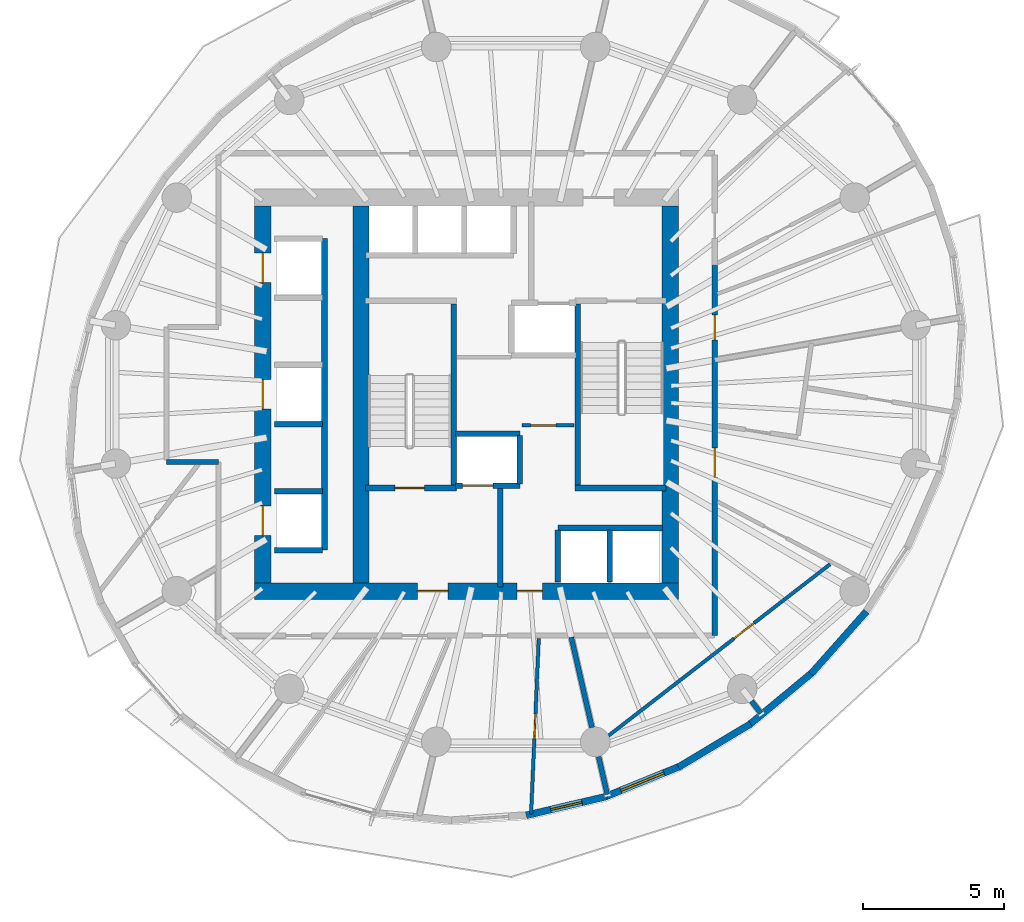
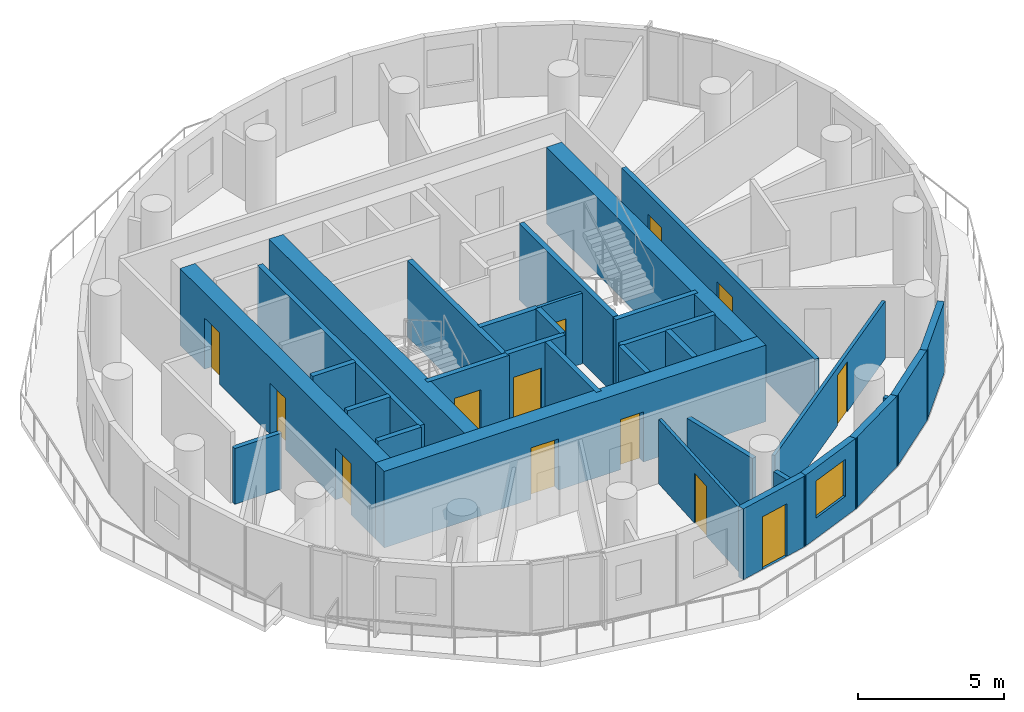
# One storey, part 5 of 12: 32 walls, 13 doors, 1 window, 14 openings.
"""IFC4 building model written with IfcOpenShell, lengths in metres."""

from ifc_helpers import new_model, si_unit, direction, frame, frame_2d, origin, place, context, subcontext, project, spatial, rectangle, extrude, material, layer, layer_set, type_object, element, fill, save


model = new_model("IFC4")

# Units and contexts
model_context = context("Model", 3, precision=1e-05, world=origin(), true_north=direction((0.0, 1.0)))
body_context = subcontext(model_context, "Body", "Model", "MODEL_VIEW")
ifc_project = project(units=[si_unit("LENGTHUNIT", "METRE"), si_unit("AREAUNIT", "SQUARE_METRE"), si_unit("VOLUMEUNIT", "CUBIC_METRE"), si_unit("PLANEANGLEUNIT", "RADIAN"), si_unit("MASSUNIT", "GRAM", prefix="KILO")], contexts=[model_context])

# Site, building, storey
site_placement = place(None, origin())
site = spatial("IfcSite", under=ifc_project, at=site_placement, CompositionType="ELEMENT")
building_placement = place(site_placement, origin())
building = spatial("IfcBuilding", under=site, at=building_placement, Name="Veldorim Arch Residences", CompositionType="ELEMENT")
storey_placement = place(building_placement, frame((0.0, 0.0, 148.9599609375)))
storey = spatial("IfcBuildingStorey", under=building, at=storey_placement, Name="L44", CompositionType="ELEMENT", Elevation=148.9599609375)

# Wall, opening, door
ifc_material_1 = material(Name="Acoustic Gypsum Board", Category="gypsum")
ifc_layer_1 = layer(ifc_material_1, 0.125, Name="Acoustic Stud Room Partition Wall 125")
ifc_layer_set_1 = layer_set([ifc_layer_1], Name="Acoustic Gypsum Board")
wall_type_1 = type_object("IfcWallType", Name="Acoustic Stud Room Partition Wall 125", PredefinedType="PARTITIONING", material=ifc_layer_set_1)
wall_1_placement = place(storey_placement, frame((32.219970703125, 22.89990234375, 0.0), z_axis=(0.0, 0.0, 1.0), x_axis=(1.0, 0.0, 0.0)))
wall_1 = element("IfcWall", 1, at=wall_1_placement, inside=storey, type_object=wall_type_1, Name="L44 interior wall WL-CA-L44-2", PredefinedType="PARTITIONING", context=body_context, shape_type="SweptSolid", body=[
    extrude(rectangle(XDim=1.860107421875, YDim=0.125, at=frame_2d((0.93017578125, 0.0))), origin(), (0.0, 0.0, 1.0), 2.955078125),
])
opening_1_placement = place(wall_1_placement, frame((0.31005859375, 0.0, 0.0)))
opening_1 = element("IfcOpeningElement", 2, at=opening_1_placement, cuts=wall_1, Name="Opening DR-SVC", PredefinedType="OPENING", context=body_context, shape_type="SweptSolid", body=[
    extrude(rectangle(XDim=0.89990234375, YDim=2.10009765625, at=frame_2d((0.449951171875, 1.050048828125))), frame((0.0, 0.072509765625, 0.0), z_axis=(0.0, -1.0, 0.0), x_axis=(1.0, 0.0, 0.0)), (0.0, 0.0, 1.0), 0.14501953125),
])
ifc_material_2 = material(Name="Fire-Rated Steel", Category="steel")
door_type_1 = type_object("IfcDoorType", Name="Riser, Shelter & Plant Room Rated Steel Door 900x2100", OperationType="SINGLE_SWING_LEFT", PredefinedType="DOOR", material=ifc_material_2)
door_1_placement = place(opening_1_placement, origin())
door_1 = element("IfcDoor", 3, at=door_1_placement, inside=storey, type_object=door_type_1, Name="L44 interior door DR-L44-CA1", OperationType="SINGLE_SWING_RIGHT", OverallHeight=2.10009765625, OverallWidth=0.89990234375, PredefinedType="DOOR", context=body_context, shape_type="SweptSolid", body=[
    extrude(rectangle(XDim=0.89990234375, YDim=2.10009765625, at=frame_2d((0.449951171875, 1.050048828125))), frame((0.0, 0.02490234375, 0.0), z_axis=(0.0, -1.0, 0.0), x_axis=(1.0, 0.0, 0.0)), (0.0, 0.0, 1.0), 0.050048828125),
])
fill(opening_1, door_1)

wall_2_placement = place(storey_placement, frame((32.82080078125, 15.320068359375, 0.0), z_axis=(0.0, 0.0, 1.0), x_axis=(-0.043813760095, -0.999039716141, 0.0)))
wall_2 = element("IfcWall", 4, at=wall_2_placement, inside=storey, type_object=wall_type_1, Name="L44 interior wall WL-RES-L44-011", PredefinedType="PARTITIONING", context=body_context, shape_type="SweptSolid", body=[
    extrude(rectangle(XDim=6.24658203125, YDim=0.125, at=frame_2d((3.123291015625, 0.0))), origin(), (0.0, 0.0, 1.0), 2.692138671875),
])
opening_2_placement = place(wall_2_placement, frame((2.67333984375, 0.0, 0.0)))
opening_2 = element("IfcOpeningElement", 5, at=opening_2_placement, cuts=wall_2, Name="Opening DR-INT", PredefinedType="OPENING", context=body_context, shape_type="SweptSolid", body=[
    extrude(rectangle(XDim=0.89990234375, YDim=2.10009765625, at=frame_2d((0.449951171875, 1.050048828125))), frame((0.0, 0.072509765625, 0.0), z_axis=(0.0, -1.0, 0.0), x_axis=(1.0, 0.0, 0.0)), (0.0, 0.0, 1.0), 0.14501953125),
])
ifc_material_3 = material(Name="Engineered Timber", Category="wood")
door_type_2 = type_object("IfcDoorType", Name="Apartment Internal Room Timber Door 900x2100", OperationType="SINGLE_SWING_LEFT", PredefinedType="DOOR", material=ifc_material_3)
door_2_placement = place(opening_2_placement, origin())
door_2 = element("IfcDoor", 6, at=door_2_placement, inside=storey, type_object=door_type_2, Name="L44 interior door DR-RES-L44-004", OperationType="SINGLE_SWING_RIGHT", OverallHeight=2.10009765625, OverallWidth=0.89990234375, PredefinedType="DOOR", context=body_context, shape_type="SweptSolid", body=[
    extrude(rectangle(XDim=0.89990234375, YDim=2.10009765625, at=frame_2d((0.449951171875, 1.050048828125))), frame((0.0, 0.02490234375, 0.0), z_axis=(0.0, -1.0, 0.0), x_axis=(1.0, 0.0, 0.0)), (0.0, 0.0, 1.0), 0.050048828125),
])
fill(opening_2, door_2)

wall_3_placement = place(storey_placement, frame((43.18408203125, 17.959716796875, 0.0), z_axis=(0.0, 0.0, 1.0), x_axis=(-0.790862802872, -0.611993486104, 0.0)))
wall_3 = element("IfcWall", 7, at=wall_3_placement, inside=storey, type_object=wall_type_1, Name="L44 interior wall WL-RES-L44-020", PredefinedType="PARTITIONING", context=body_context, shape_type="SweptSolid", body=[
    extrude(rectangle(XDim=9.974853515625, YDim=0.125, at=frame_2d((4.9873046875, 0.0))), origin(), (0.0, 0.0, 1.0), 2.411376953125),
])
opening_3_placement = place(wall_3_placement, frame((3.417236328125, 0.0, 0.0)))
opening_3 = element("IfcOpeningElement", 8, at=opening_3_placement, cuts=wall_3, Name="Opening DR-INT", PredefinedType="OPENING", context=body_context, shape_type="SweptSolid", body=[
    extrude(rectangle(XDim=0.89990234375, YDim=2.10009765625, at=frame_2d((0.449951171875, 1.050048828125))), frame((0.0, 0.072509765625, 0.0), z_axis=(0.0, -1.0, 0.0), x_axis=(1.0, 0.0, 0.0)), (0.0, 0.0, 1.0), 0.14501953125),
])
door_3_placement = place(opening_3_placement, origin())
door_3 = element("IfcDoor", 9, at=door_3_placement, inside=storey, type_object=door_type_2, Name="L44 interior door DR-RES-L44-008", OperationType="SINGLE_SWING_RIGHT", OverallHeight=2.10009765625, OverallWidth=0.89990234375, PredefinedType="DOOR", context=body_context, shape_type="SweptSolid", body=[
    extrude(rectangle(XDim=0.89990234375, YDim=2.10009765625, at=frame_2d((0.449951171875, 1.050048828125))), frame((0.0, 0.02490234375, 0.0), z_axis=(0.0, -1.0, 0.0), x_axis=(1.0, 0.0, 0.0)), (0.0, 0.0, 1.0), 0.050048828125),
])
fill(opening_3, door_3)

# Walls
ifc_material_4 = material(Name="Lightweight Masonry Block & Gypsum", Category="masonry")
ifc_layer_2 = layer(ifc_material_4, 0.179931640625, Name="Compartment & Corridor Fire-Rated Party Wall 180")
ifc_layer_set_2 = layer_set([ifc_layer_2], Name="Lightweight Masonry Block & Gypsum")
wall_type_2 = type_object("IfcWallType", Name="Compartment & Corridor Fire-Rated Party Wall 180", PredefinedType="PARTITIONING", material=ifc_layer_set_2)
wall_4_placement = place(storey_placement, frame((34.950439453125, 11.11083984375, 0.0), z_axis=(0.0, 0.0, 1.0), x_axis=(0.223027623572, -0.974812125039, 0.0)))
element("IfcWall", 10, at=wall_4_placement, inside=storey, type_object=wall_type_2, Name="L44 interior wall WL-PIER-L44-13", PredefinedType="PARTITIONING", context=body_context, shape_type="SweptSolid", body=[
    extrude(rectangle(XDim=1.372802734375, YDim=0.179931640625, at=frame_2d((0.6865234375, 0.0))), origin(), (0.0, 0.0, 1.0), 2.3359375),
])
wall_5_placement = place(storey_placement, frame((40.387939453125, 13.091552734375, 0.0), z_axis=(0.0, 0.0, 1.0), x_axis=(0.6096676216, -0.792657171275, 0.0)))
element("IfcWall", 11, at=wall_5_placement, inside=storey, type_object=wall_type_2, Name="L44 interior wall WL-PIER-L44-14", PredefinedType="PARTITIONING", context=body_context, shape_type="SweptSolid", body=[
    extrude(rectangle(XDim=0.547119140625, YDim=0.179931640625, at=frame_2d((0.2734375, 0.0))), origin(), (0.0, 0.0, 1.0), 2.3359375),
])

# Wall, openings, doors
wall_6_placement = place(storey_placement, frame((39.080078125, 28.64501953125, 0.0), z_axis=(0.0, 0.0, 1.0), x_axis=(0.0, -1.0, 0.0)))
wall_6 = element("IfcWall", 12, at=wall_6_placement, inside=storey, type_object=wall_type_2, Name="L44 interior wall WL-RES-L44-003", PredefinedType="PARTITIONING", context=body_context, shape_type="SweptSolid", body=[
    extrude(rectangle(XDim=13.22509765625, YDim=0.179931640625, at=frame_2d((6.612548828125, 0.0))), origin(), (0.0, 0.0, 1.0), 2.955078125),
])
opening_4_placement = place(wall_6_placement, frame((6.54541015625, 0.0, 0.0)))
opening_4 = element("IfcOpeningElement", 13, at=opening_4_placement, cuts=wall_6, Name="Opening DR-FLT", PredefinedType="OPENING", context=body_context, shape_type="SweptSolid", body=[
    extrude(rectangle(XDim=1.050048828125, YDim=2.14990234375, at=frame_2d((0.52490234375, 1.074951171875))), frame((0.0, 0.099853515625, 0.0), z_axis=(0.0, -1.0, 0.0), x_axis=(1.0, 0.0, 0.0)), (0.0, 0.0, 1.0), 0.199951171875),
])
opening_5_placement = place(wall_6_placement, frame((1.8115234375, 0.0, 0.0)))
opening_5 = element("IfcOpeningElement", 14, at=opening_5_placement, cuts=wall_6, Name="Opening DR-INT", PredefinedType="OPENING", context=body_context, shape_type="SweptSolid", body=[
    extrude(rectangle(XDim=0.89990234375, YDim=2.10009765625, at=frame_2d((0.449951171875, 1.050048828125))), frame((0.0, 0.099853515625, 0.0), z_axis=(0.0, -1.0, 0.0), x_axis=(1.0, 0.0, 0.0)), (0.0, 0.0, 1.0), 0.199951171875),
])
ifc_material_5 = material(Name="Fire-Rated Timber", Category="wood")
door_type_3 = type_object("IfcDoorType", Name="Apartment Entrance Solid-Core Fire Door 1050x2150", OperationType="SINGLE_SWING_LEFT", PredefinedType="DOOR", material=ifc_material_5)
door_4_placement = place(opening_4_placement, origin())
door_4 = element("IfcDoor", 15, at=door_4_placement, inside=storey, type_object=door_type_3, Name="L44 interior door DR-RES-L44-005", OperationType="SINGLE_SWING_LEFT", OverallHeight=2.14990234375, OverallWidth=1.050048828125, PredefinedType="DOOR", context=body_context, shape_type="SweptSolid", body=[
    extrude(rectangle(XDim=1.050048828125, YDim=2.14990234375, at=frame_2d((0.52490234375, 1.074951171875))), frame((0.0, 0.02490234375, 0.0), z_axis=(0.0, -1.0, 0.0), x_axis=(1.0, 0.0, 0.0)), (0.0, 0.0, 1.0), 0.050048828125),
])
fill(opening_4, door_4)
door_5_placement = place(opening_5_placement, origin())
door_5 = element("IfcDoor", 16, at=door_5_placement, inside=storey, type_object=door_type_2, Name="L44 interior door DR-RES-L44-013", OperationType="SINGLE_SWING_LEFT", OverallHeight=2.10009765625, OverallWidth=0.89990234375, PredefinedType="DOOR", context=body_context, shape_type="SweptSolid", body=[
    extrude(rectangle(XDim=0.89990234375, YDim=2.10009765625, at=frame_2d((0.449951171875, 1.050048828125))), frame((0.0, 0.02490234375, 0.0), z_axis=(0.0, -1.0, 0.0), x_axis=(1.0, 0.0, 0.0)), (0.0, 0.0, 1.0), 0.050048828125),
])
fill(opening_5, door_5)

# Walls
wall_7_placement = place(storey_placement, frame((21.419921875, 21.60009765625, 0.0), z_axis=(0.0, 0.0, 1.0), x_axis=(-1.0, 0.0, 0.0)))
element("IfcWall", 17, at=wall_7_placement, inside=storey, type_object=wall_type_2, Name="L44 interior wall WL-RES-L44-006", PredefinedType="PARTITIONING", context=body_context, shape_type="SweptSolid", body=[
    extrude(rectangle(XDim=1.849853515625, YDim=0.179931640625, at=frame_2d((0.9248046875, 0.0))), origin(), (0.0, 0.0, 1.0), 2.3359375),
])
wall_8_placement = place(storey_placement, frame((33.977294921875, 15.361572265625, 0.0), z_axis=(0.0, 0.0, 1.0), x_axis=(0.22319287001, -0.974774303506, 0.0)))
element("IfcWall", 18, at=wall_8_placement, inside=storey, type_object=wall_type_2, Name="L44 interior wall WL-RES-L44-014", PredefinedType="PARTITIONING", context=body_context, shape_type="SweptSolid", body=[
    extrude(rectangle(XDim=3.2958984375, YDim=0.179931640625, at=frame_2d((1.64794921875, 0.0))), origin(), (0.0, 0.0, 1.0), 2.3359375),
])
ifc_material_6 = material(Name="Concrete C50/60", Category="concrete")
ifc_layer_3 = layer(ifc_material_6, 0.199951171875, Name="Core Stair & Lift Shaft Enclosure Wall 200")
ifc_layer_set_3 = layer_set([ifc_layer_3], Name="Concrete C50/60")
wall_type_3 = type_object("IfcWallType", Name="Core Stair & Lift Shaft Enclosure Wall 200", PredefinedType="SHEAR", material=ifc_layer_set_3)
wall_9_placement = place(storey_placement, frame((29.7900390625, 20.780029296875, 0.0), z_axis=(0.0, 0.0, 1.0), x_axis=(0.0, 1.0, 0.0)))
element("IfcWall", 19, at=wall_9_placement, inside=storey, type_object=wall_type_3, Name="L44 shaft wall WL-SHF-L44-ST1-E", PredefinedType="SHEAR", context=body_context, shape_type="SweptSolid", body=[
    extrude(rectangle(XDim=6.43994140625, YDim=0.199951171875, at=frame_2d((3.219970703125, 0.0))), origin(), (0.0, 0.0, 1.0), 3.199951171875),
])

# Wall, opening, door
wall_10_placement = place(storey_placement, frame((26.64990234375, 20.669921875, 0.0), z_axis=(0.0, 0.0, 1.0), x_axis=(1.0, 0.0, 0.0)))
wall_10 = element("IfcWall", 20, at=wall_10_placement, inside=storey, type_object=wall_type_3, Name="L44 shaft wall WL-SHF-L44-ST1-S", PredefinedType="SHEAR", context=body_context, shape_type="SweptSolid", body=[
    extrude(rectangle(XDim=3.239990234375, YDim=0.199951171875, at=frame_2d((1.6201171875, 0.0))), origin(), (0.0, 0.0, 1.0), 3.199951171875),
])
opening_6_placement = place(wall_10_placement, frame((1.054931640625, 0.0, 0.0)))
opening_6 = element("IfcOpeningElement", 21, at=opening_6_placement, cuts=wall_10, Name="Opening DR-ST", PredefinedType="OPENING", context=body_context, shape_type="SweptSolid", body=[
    extrude(rectangle(XDim=1.050048828125, YDim=2.14990234375, at=frame_2d((0.52490234375, 1.074951171875))), frame((0.0, 0.10986328125, 0.0), z_axis=(0.0, -1.0, 0.0), x_axis=(1.0, 0.0, 0.0)), (0.0, 0.0, 1.0), 0.219970703125),
])
ifc_material_7 = material(Name="Fire-Rated Steel", Category="steel")
door_type_4 = type_object("IfcDoorType", Name="Exit Staircase Self-Closing Fire Door 1050x2150", OperationType="SINGLE_SWING_LEFT", PredefinedType="DOOR", material=ifc_material_7)
door_6_placement = place(opening_6_placement, origin())
door_6 = element("IfcDoor", 22, at=door_6_placement, inside=storey, type_object=door_type_4, Name="L44 interior door DR-L44-ST1", OperationType="SINGLE_SWING_LEFT", OverallHeight=2.14990234375, OverallWidth=1.050048828125, PredefinedType="DOOR", context=body_context, shape_type="SweptSolid", body=[
    extrude(rectangle(XDim=1.050048828125, YDim=2.14990234375, at=frame_2d((0.52490234375, 1.074951171875))), frame((0.0, 0.02490234375, 0.0), z_axis=(0.0, -1.0, 0.0), x_axis=(1.0, 0.0, 0.0)), (0.0, 0.0, 1.0), 0.050048828125),
])
fill(opening_6, door_6)

# Walls
wall_11_placement = place(storey_placement, frame((34.2099609375, 20.780029296875, 0.0), z_axis=(0.0, 0.0, 1.0), x_axis=(0.0, 1.0, 0.0)))
element("IfcWall", 23, at=wall_11_placement, inside=storey, type_object=wall_type_3, Name="L44 shaft wall WL-SHF-L44-ST2-W", PredefinedType="SHEAR", context=body_context, shape_type="SweptSolid", body=[
    extrude(rectangle(XDim=6.43994140625, YDim=0.199951171875, at=frame_2d((3.219970703125, 0.0))), origin(), (0.0, 0.0, 1.0), 3.199951171875),
])
wall_12_placement = place(storey_placement, frame((34.110107421875, 20.669921875, 0.0), z_axis=(0.0, 0.0, 1.0), x_axis=(1.0, 0.0, 0.0)))
element("IfcWall", 24, at=wall_12_placement, inside=storey, type_object=wall_type_3, Name="L44 shaft wall WL-SHF-L44-ST2-S", PredefinedType="SHEAR", context=body_context, shape_type="SweptSolid", body=[
    extrude(rectangle(XDim=3.239990234375, YDim=0.199951171875, at=frame_2d((1.6201171875, 0.0))), origin(), (0.0, 0.0, 1.0), 3.199951171875),
])
wall_13_placement = place(storey_placement, frame((31.449951171875, 17.14990234375, 0.0), z_axis=(0.0, 0.0, 1.0), x_axis=(0.0, 1.0, 0.0)))
element("IfcWall", 25, at=wall_13_placement, inside=storey, type_object=wall_type_3, Name="L44 shaft wall WL-FFL1-L44-E", PredefinedType="SHEAR", context=body_context, shape_type="SweptSolid", body=[
    extrude(rectangle(XDim=3.5, YDim=0.199951171875, at=frame_2d((1.75, 0.0))), origin(), (0.0, 0.0, 1.0), 3.199951171875),
])

# Wall, opening, door
wall_14_placement = place(storey_placement, frame((29.85009765625, 20.75, 0.0), z_axis=(0.0, 0.0, 1.0), x_axis=(1.0, 0.0, 0.0)))
wall_14 = element("IfcWall", 26, at=wall_14_placement, inside=storey, type_object=wall_type_3, Name="L44 shaft wall WL-FL01-L44-S", PredefinedType="SHEAR", context=body_context, shape_type="SweptSolid", body=[
    extrude(rectangle(XDim=2.2998046875, YDim=0.199951171875, at=frame_2d((1.14990234375, 0.0))), origin(), (0.0, 0.0, 1.0), 3.199951171875),
])
opening_7_placement = place(wall_14_placement, frame((0.25, 0.0, 0.0)))
opening_7 = element("IfcOpeningElement", 27, at=opening_7_placement, cuts=wall_14, Name="Opening LD-FF", PredefinedType="OPENING", context=body_context, shape_type="SweptSolid", body=[
    extrude(rectangle(XDim=1.10009765625, YDim=2.14990234375, at=frame_2d((0.550048828125, 1.074951171875))), frame((0.0, 0.10986328125, 0.0), z_axis=(0.0, -1.0, 0.0), x_axis=(1.0, 0.0, 0.0)), (0.0, 0.0, 1.0), 0.219970703125),
])
ifc_material_8 = material(Name="Stainless Steel", Category="steel")
door_type_5 = type_object("IfcDoorType", Name="Firefighting Lift Bi-Parting Sliding Landing Door 1100x2150", OperationType="DOUBLE_DOOR_SLIDING", PredefinedType="DOOR", material=ifc_material_8)
door_7_placement = place(opening_7_placement, origin())
door_7 = element("IfcDoor", 28, at=door_7_placement, inside=storey, type_object=door_type_5, Name="L44 lift landing door LD-L44-FL01", OperationType="DOUBLE_DOOR_SLIDING", OverallHeight=2.14990234375, OverallWidth=1.10009765625, PredefinedType="DOOR", context=body_context, shape_type="SweptSolid", body=[
    extrude(rectangle(XDim=1.10009765625, YDim=2.14990234375, at=frame_2d((0.550048828125, 1.074951171875))), frame((0.0, 0.02490234375, 0.0), z_axis=(0.0, -1.0, 0.0), x_axis=(1.0, 0.0, 0.0)), (0.0, 0.0, 1.0), 0.050048828125),
])
fill(opening_7, door_7)

# Walls
wall_15_placement = place(storey_placement, frame((29.85009765625, 22.60009765625, 0.0), z_axis=(0.0, 0.0, 1.0), x_axis=(1.0, 0.0, 0.0)))
element("IfcWall", 29, at=wall_15_placement, inside=storey, type_object=wall_type_3, Name="L44 shaft wall WL-FL01-L44-N", PredefinedType="SHEAR", context=body_context, shape_type="SweptSolid", body=[
    extrude(rectangle(XDim=2.2998046875, YDim=0.199951171875, at=frame_2d((1.14990234375, 0.0))), origin(), (0.0, 0.0, 1.0), 3.199951171875),
])
wall_16_placement = place(storey_placement, frame((32.14990234375, 20.820068359375, 0.0), z_axis=(0.0, 0.0, 1.0), x_axis=(0.0, 1.0, 0.0)))
element("IfcWall", 30, at=wall_16_placement, inside=storey, type_object=wall_type_3, Name="L44 shaft wall WL-FL01-L44-E", PredefinedType="SHEAR", context=body_context, shape_type="SweptSolid", body=[
    extrude(rectangle(XDim=1.7099609375, YDim=0.199951171875, at=frame_2d((0.85498046875, 0.0))), origin(), (0.0, 0.0, 1.0), 3.199951171875),
])
wall_17_placement = place(storey_placement, frame((25.199951171875, 18.4599609375, 0.0), z_axis=(0.0, 0.0, 1.0), x_axis=(0.0, 1.0, 0.0)))
element("IfcWall", 31, at=wall_17_placement, inside=storey, type_object=wall_type_3, Name="L44 shaft wall WL-B2-L44-E", PredefinedType="SHEAR", context=body_context, shape_type="SweptSolid", body=[
    extrude(rectangle(XDim=11.080078125, YDim=0.199951171875, at=frame_2d((5.5400390625, 0.0))), origin(), (0.0, 0.0, 1.0), 3.199951171875),
])
for number, where, z_axis, x_axis, name in (
    (32, (23.419921875, 18.4599609375, 0.0), (0.0, 0.0, 1.0), (1.0, 0.0, 0.0), "L44 shaft wall WL-B2-L44-S"),
    (33, (23.419921875, 20.56005859375, 0.0), (0.0, 0.0, 1.0), (1.0, 0.0, 0.0), "L44 shaft wall WL-B2-L44-D1A"),
    (34, (23.419921875, 22.93994140625, 0.0), (0.0, 0.0, 1.0), (1.0, 0.0, 0.0), "L44 shaft wall WL-B2-L44-D1B"),
):
    element("IfcWall", number, at=place(storey_placement, frame(where, z_axis=z_axis, x_axis=x_axis)), inside=storey, type_object=wall_type_3, Name=name, PredefinedType="SHEAR", context=body_context, shape_type="SweptSolid", body=[
        extrude(rectangle(XDim=1.7099609375, YDim=0.199951171875, at=frame_2d((0.85498046875, 0.0))), origin(), (0.0, 0.0, 1.0), 3.199951171875),
    ])
wall_18_placement = place(storey_placement, frame((33.5, 19.25, 0.0), z_axis=(0.0, 0.0, 1.0), x_axis=(1.0, 0.0, 0.0)))
element("IfcWall", 35, at=wall_18_placement, inside=storey, type_object=wall_type_3, Name="L44 shaft wall WL-OL-L44-N", PredefinedType="SHEAR", context=body_context, shape_type="SweptSolid", body=[
    extrude(rectangle(XDim=3.719970703125, YDim=0.199951171875, at=frame_2d((1.85986328125, 0.0))), origin(), (0.0, 0.0, 1.0), 3.199951171875),
])
for number, where, z_axis, x_axis, name in (
    (36, (33.5, 17.320068359375, 0.0), (0.0, 0.0, 1.0), (0.0, 1.0, 0.0), "L44 shaft wall WL-OL-L44-W"),
    (37, (35.35009765625, 17.320068359375, 0.0), (0.0, 0.0, 1.0), (0.0, 1.0, 0.0), "L44 shaft wall WL-OL-L44-D1"),
):
    element("IfcWall", number, at=place(storey_placement, frame(where, z_axis=z_axis, x_axis=x_axis)), inside=storey, type_object=wall_type_3, Name=name, PredefinedType="SHEAR", context=body_context, shape_type="SweptSolid", body=[
        extrude(rectangle(XDim=1.85986328125, YDim=0.199951171875, at=frame_2d((0.929931640625, 0.0))), origin(), (0.0, 0.0, 1.0), 3.199951171875),
    ])

# Wall, openings, doors
ifc_material_9 = material(Name="Concrete C50/60", Category="concrete")
ifc_layer_4 = layer(ifc_material_9, 0.60009765625, Name="Mid-Upper Central Core Shear Wall 600")
ifc_layer_set_4 = layer_set([ifc_layer_4], Name="Concrete C50/60")
wall_type_4 = type_object("IfcWallType", Name="Mid-Upper Central Core Shear Wall 600", PredefinedType="SHEAR", material=ifc_layer_set_4)
wall_19_placement = place(storey_placement, frame((22.699951171875, 17.0, 0.0), z_axis=(0.0, 0.0, 1.0), x_axis=(1.0, 0.0, 0.0)))
wall_19 = element("IfcWall", 38, at=wall_19_placement, inside=storey, type_object=wall_type_4, Name="L44 central core south shear wall", PredefinedType="SHEAR", context=body_context, shape_type="SweptSolid", body=[
    extrude(rectangle(XDim=15.10009765625, YDim=0.60009765625, at=frame_2d((7.550048828125, 0.0))), origin(), (0.0, 0.0, 1.0), 3.199951171875),
])
opening_8_placement = place(wall_19_placement, frame((5.800048828125, 0.0, 0.0)))
opening_8 = element("IfcOpeningElement", 39, at=opening_8_placement, cuts=wall_19, Name="Opening DR-FFL", PredefinedType="OPENING", context=body_context, shape_type="SweptSolid", body=[
    extrude(rectangle(XDim=1.10009765625, YDim=2.14990234375, at=frame_2d((0.550048828125, 1.074951171875))), frame((0.0, 0.31005859375, 0.0), z_axis=(0.0, -1.0, 0.0), x_axis=(1.0, 0.0, 0.0)), (0.0, 0.0, 1.0), 0.6201171875),
])
opening_9_placement = place(wall_19_placement, frame((9.35009765625, 0.0, 0.0)))
opening_9 = element("IfcOpeningElement", 40, at=opening_9_placement, cuts=wall_19, Name="Opening DR-SVC", PredefinedType="OPENING", context=body_context, shape_type="SweptSolid", body=[
    extrude(rectangle(XDim=0.89990234375, YDim=2.10009765625, at=frame_2d((0.449951171875, 1.050048828125))), frame((0.0, 0.31005859375, 0.0), z_axis=(0.0, -1.0, 0.0), x_axis=(1.0, 0.0, 0.0)), (0.0, 0.0, 1.0), 0.6201171875),
])
ifc_material_10 = material(Name="Fire-Rated Steel & Vision Glass", Category="steel")
door_type_6 = type_object("IfcDoorType", Name="Firefighting Lobby Smoke-Stop Fire Door 1100x2150", OperationType="SINGLE_SWING_LEFT", PredefinedType="DOOR", material=ifc_material_10)
door_8_placement = place(opening_8_placement, origin())
door_8 = element("IfcDoor", 41, at=door_8_placement, inside=storey, type_object=door_type_6, Name="L44 interior door DR-L44-FFL1", OperationType="SINGLE_SWING_RIGHT", OverallHeight=2.14990234375, OverallWidth=1.10009765625, PredefinedType="DOOR", context=body_context, shape_type="SweptSolid", body=[
    extrude(rectangle(XDim=1.10009765625, YDim=2.14990234375, at=frame_2d((0.550048828125, 1.074951171875))), frame((0.0, 0.02490234375, 0.0), z_axis=(0.0, -1.0, 0.0), x_axis=(1.0, 0.0, 0.0)), (0.0, 0.0, 1.0), 0.050048828125),
])
fill(opening_8, door_8)
door_9_placement = place(opening_9_placement, origin())
door_9 = element("IfcDoor", 42, at=door_9_placement, inside=storey, type_object=door_type_1, Name="L44 interior door DR-L44-COR-ANC", OperationType="SINGLE_SWING_LEFT", OverallHeight=2.10009765625, OverallWidth=0.89990234375, PredefinedType="DOOR", context=body_context, shape_type="SweptSolid", body=[
    extrude(rectangle(XDim=0.89990234375, YDim=2.10009765625, at=frame_2d((0.449951171875, 1.050048828125))), frame((0.0, 0.02490234375, 0.0), z_axis=(0.0, -1.0, 0.0), x_axis=(1.0, 0.0, 0.0)), (0.0, 0.0, 1.0), 0.050048828125),
])
fill(opening_9, door_9)

wall_20_placement = place(storey_placement, frame((23.0, 17.300048828125, 0.0), z_axis=(0.0, 0.0, 1.0), x_axis=(0.0, 1.0, 0.0)))
wall_20 = element("IfcWall", 43, at=wall_20_placement, inside=storey, type_object=wall_type_4, Name="L44 central core west shear wall", PredefinedType="SHEAR", context=body_context, shape_type="SweptSolid", body=[
    extrude(rectangle(XDim=13.39990234375, YDim=0.60009765625, at=frame_2d((6.699951171875, 0.0))), origin(), (0.0, 0.0, 1.0), 3.199951171875),
])
opening_10_placement = place(wall_20_placement, frame((1.675048828125, 0.0, 0.0)))
opening_10 = element("IfcOpeningElement", 44, at=opening_10_placement, cuts=wall_20, Name="Opening LD-PS", PredefinedType="OPENING", context=body_context, shape_type="SweptSolid", body=[
    extrude(rectangle(XDim=1.050048828125, YDim=2.14990234375, at=frame_2d((0.52490234375, 1.074951171875))), frame((0.0, 0.31005859375, 0.0), z_axis=(0.0, -1.0, 0.0), x_axis=(1.0, 0.0, 0.0)), (0.0, 0.0, 1.0), 0.6201171875),
])
opening_11_placement = place(wall_20_placement, frame((6.175048828125, 0.0, 0.0)))
opening_11 = element("IfcOpeningElement", 45, at=opening_11_placement, cuts=wall_20, Name="Opening LD-PS", PredefinedType="OPENING", context=body_context, shape_type="SweptSolid", body=[
    extrude(rectangle(XDim=1.050048828125, YDim=2.14990234375, at=frame_2d((0.52490234375, 1.074951171875))), frame((0.0, 0.31005859375, 0.0), z_axis=(0.0, -1.0, 0.0), x_axis=(1.0, 0.0, 0.0)), (0.0, 0.0, 1.0), 0.6201171875),
])
opening_12_placement = place(wall_20_placement, frame((10.675048828125, 0.0, 0.0)))
opening_12 = element("IfcOpeningElement", 46, at=opening_12_placement, cuts=wall_20, Name="Opening LD-PS", PredefinedType="OPENING", context=body_context, shape_type="SweptSolid", body=[
    extrude(rectangle(XDim=1.050048828125, YDim=2.14990234375, at=frame_2d((0.52490234375, 1.074951171875))), frame((0.0, 0.31005859375, 0.0), z_axis=(0.0, -1.0, 0.0), x_axis=(1.0, 0.0, 0.0)), (0.0, 0.0, 1.0), 0.6201171875),
])
ifc_material_11 = material(Name="Stainless Steel", Category="steel")
door_type_7 = type_object("IfcDoorType", Name="Passenger Lift Bi-Parting Sliding Landing Door 1050x2150", OperationType="DOUBLE_DOOR_SLIDING", PredefinedType="DOOR", material=ifc_material_11)
door_10_placement = place(opening_10_placement, origin())
door_10 = element("IfcDoor", 47, at=door_10_placement, inside=storey, type_object=door_type_7, Name="L44 lift landing door LD-L44-PL-05", OperationType="DOUBLE_DOOR_SLIDING", OverallHeight=2.14990234375, OverallWidth=1.050048828125, PredefinedType="DOOR", context=body_context, shape_type="SweptSolid", body=[
    extrude(rectangle(XDim=1.050048828125, YDim=2.14990234375, at=frame_2d((0.52490234375, 1.074951171875))), frame((0.0, 0.02490234375, 0.0), z_axis=(0.0, -1.0, 0.0), x_axis=(1.0, 0.0, 0.0)), (0.0, 0.0, 1.0), 0.050048828125),
])
fill(opening_10, door_10)
door_11_placement = place(opening_11_placement, origin())
door_11 = element("IfcDoor", 48, at=door_11_placement, inside=storey, type_object=door_type_7, Name="L44 lift landing door LD-L44-PL-06", OperationType="DOUBLE_DOOR_SLIDING", OverallHeight=2.14990234375, OverallWidth=1.050048828125, PredefinedType="DOOR", context=body_context, shape_type="SweptSolid", body=[
    extrude(rectangle(XDim=1.050048828125, YDim=2.14990234375, at=frame_2d((0.52490234375, 1.074951171875))), frame((0.0, 0.02490234375, 0.0), z_axis=(0.0, -1.0, 0.0), x_axis=(1.0, 0.0, 0.0)), (0.0, 0.0, 1.0), 0.050048828125),
])
fill(opening_11, door_11)
door_12_placement = place(opening_12_placement, origin())
door_12 = element("IfcDoor", 49, at=door_12_placement, inside=storey, type_object=door_type_7, Name="L44 lift landing door LD-L44-PL-07", OperationType="DOUBLE_DOOR_SLIDING", OverallHeight=2.14990234375, OverallWidth=1.050048828125, PredefinedType="DOOR", context=body_context, shape_type="SweptSolid", body=[
    extrude(rectangle(XDim=1.050048828125, YDim=2.14990234375, at=frame_2d((0.52490234375, 1.074951171875))), frame((0.0, 0.02490234375, 0.0), z_axis=(0.0, -1.0, 0.0), x_axis=(1.0, 0.0, 0.0)), (0.0, 0.0, 1.0), 0.050048828125),
])
fill(opening_12, door_12)

# Wall
wall_21_placement = place(storey_placement, frame((37.5, 17.300048828125, 0.0), z_axis=(0.0, 0.0, 1.0), x_axis=(0.0, 1.0, 0.0)))
element("IfcWall", 50, at=wall_21_placement, inside=storey, type_object=wall_type_4, Name="L44 central core east shear wall", PredefinedType="SHEAR", context=body_context, shape_type="SweptSolid", body=[
    extrude(rectangle(XDim=13.39990234375, YDim=0.60009765625, at=frame_2d((6.699951171875, 0.0))), origin(), (0.0, 0.0, 1.0), 3.199951171875),
])

# Wall, opening, door
ifc_material_12 = material(Name="Precast concrete C40/50", Category="concrete")
ifc_layer_5 = layer(ifc_material_12, 0.25, Name="Tower Terracotta Spandrel & Pier Wall 250")
ifc_layer_set_5 = layer_set([ifc_layer_5], Name="Precast concrete C40/50")
wall_type_5 = type_object("IfcWallType", Name="Tower Terracotta Spandrel & Pier Wall 250", PredefinedType="SOLIDWALL", material=ifc_layer_set_5)
wall_22_placement = place(storey_placement, frame((35.233154296875, 9.694580078125, 0.0), z_axis=(0.0, 0.0, 1.0), x_axis=(-0.973538048261, -0.228524984602, 0.0)))
wall_22 = element("IfcWall", 51, at=wall_22_placement, inside=storey, type_object=wall_type_5, Name="L44 terracotta facade wall 25", PredefinedType="SOLIDWALL", context=body_context, shape_type="SweptSolid", body=[
    extrude(rectangle(XDim=2.936767578125, YDim=0.25, at=frame_2d((1.46826171875, 0.0))), origin(), (0.0, 0.0, 1.0), 2.9599609375),
])
opening_13_placement = place(wall_22_placement, frame((0.89306640625, 0.0, 0.0)))
opening_13 = element("IfcOpeningElement", 52, at=opening_13_placement, cuts=wall_22, Name="Opening BL-DR", PredefinedType="OPENING", context=body_context, shape_type="SweptSolid", body=[
    extrude(rectangle(XDim=1.14990234375, YDim=2.199951171875, at=frame_2d((0.574951171875, 1.10009765625))), frame((0.0, 0.135009765625, 0.0), z_axis=(0.0, -1.0, 0.0), x_axis=(1.0, 0.0, 0.0)), (0.0, 0.0, 1.0), 0.27001953125),
])
ifc_material_13 = material(Name="Aluminium & Low-E Glass", Category="aluminium")
door_type_8 = type_object("IfcDoorType", Name="Glazed Planted Balcony Door 1150x2200", OperationType="SINGLE_SWING_LEFT", PredefinedType="DOOR", material=ifc_material_13)
door_13_placement = place(opening_13_placement, origin())
door_13 = element("IfcDoor", 53, at=door_13_placement, inside=storey, type_object=door_type_8, Name="L44 glazed outdoor terrace door BALC-2", OperationType="SINGLE_SWING_LEFT", OverallHeight=2.199951171875, OverallWidth=1.14990234375, PredefinedType="DOOR", context=body_context, shape_type="SweptSolid", body=[
    extrude(rectangle(XDim=1.14990234375, YDim=2.199951171875, at=frame_2d((0.574951171875, 1.10009765625))), frame((0.0, 0.02490234375, 0.0), z_axis=(0.0, -1.0, 0.0), x_axis=(1.0, 0.0, 0.0)), (0.0, 0.0, 1.0), 0.050048828125),
])
fill(opening_13, door_13)

# Wall, opening, window
wall_23_placement = place(storey_placement, frame((37.885986328125, 10.78466796875, 0.0), z_axis=(0.0, 0.0, 1.0), x_axis=(-0.926076439021, -0.377335963154, 0.0)))
wall_23 = element("IfcWall", 54, at=wall_23_placement, inside=storey, type_object=wall_type_5, Name="L44 terracotta facade wall 26", PredefinedType="SOLIDWALL", context=body_context, shape_type="SweptSolid", body=[
    extrude(rectangle(XDim=2.976806640625, YDim=0.25, at=frame_2d((1.48828125, 0.0))), origin(), (0.0, 0.0, 1.0), 2.9599609375),
])
opening_14_placement = place(wall_23_placement, frame((0.6640625, 0.0, 0.85009765625)))
opening_14 = element("IfcOpeningElement", 55, at=opening_14_placement, cuts=wall_23, Name="Opening WN-03", PredefinedType="OPENING", context=body_context, shape_type="SweptSolid", body=[
    extrude(rectangle(XDim=1.64990234375, YDim=1.550048828125, at=frame_2d((0.824951171875, 0.77490234375))), frame((0.0, 0.135009765625, 0.0), z_axis=(0.0, -1.0, 0.0), x_axis=(1.0, 0.0, 0.0)), (0.0, 0.0, 1.0), 0.27001953125),
])
ifc_material_14 = material(Name="Laminated Low-E Glass", Category="glass")
window_type = type_object("IfcWindowType", Name="Residential Wide Window 1650x1550", PartitioningType="SINGLE_PANEL", PredefinedType="WINDOW", material=ifc_material_14)
window_placement = place(opening_14_placement, origin())
window = element("IfcWindow", 56, at=window_placement, inside=storey, type_object=window_type, Name="L44 solar-control facade window 26", OverallHeight=1.550048828125, OverallWidth=1.64990234375, PartitioningType="SINGLE_PANEL", PredefinedType="WINDOW", context=body_context, shape_type="SweptSolid", body=[
    extrude(rectangle(XDim=1.64990234375, YDim=1.550048828125, at=frame_2d((0.824951171875, 0.77490234375))), frame((0.0, 0.030029296875, 0.0), z_axis=(0.0, -1.0, 0.0), x_axis=(1.0, 0.0, 0.0)), (0.0, 0.0, 1.0), 0.06005859375),
])
fill(opening_14, window)

# Walls
for number, where, z_axis, x_axis, name in (
    (57, (40.36083984375, 12.277099609375, 0.0), (0.0, 0.0, 1.0), (-0.857816062946, -0.513956809617, 0.0), "L44 terracotta facade wall 27"),
    (58, (42.581298828125, 14.126708984375, 0.0), (0.0, 0.0, 1.0), (-0.77019983048, -0.637802650613, 0.0), "L44 terracotta facade wall 28"),
):
    element("IfcWall", number, at=place(storey_placement, frame(where, z_axis=z_axis, x_axis=x_axis)), inside=storey, type_object=wall_type_5, Name=name, PredefinedType="SOLIDWALL", context=body_context, shape_type="SweptSolid", body=[
        extrude(rectangle(XDim=2.998291015625, YDim=0.25, at=frame_2d((1.4990234375, 0.0))), origin(), (0.0, 0.0, 1.0), 2.9599609375),
    ])
wall_24_placement = place(storey_placement, frame((44.479736328125, 16.277099609375, 0.0), z_axis=(0.0, 0.0, 1.0), x_axis=(-0.664002369324, -0.747730468506, 0.0)))
element("IfcWall", 59, at=wall_24_placement, inside=storey, type_object=wall_type_5, Name="L44 terracotta facade wall 29", PredefinedType="SOLIDWALL", context=body_context, shape_type="SweptSolid", body=[
    extrude(rectangle(XDim=2.97705078125, YDim=0.25, at=frame_2d((1.488525390625, 0.0))), origin(), (0.0, 0.0, 1.0), 2.9599609375),
])
ifc_material_15 = material(Name="Concrete C50/60", Category="concrete")
ifc_layer_6 = layer(ifc_material_15, 0.56005859375, Name="Upper Internal Core Shear Web Wall 560")
ifc_layer_set_6 = layer_set([ifc_layer_6], Name="Concrete C50/60")
wall_type_6 = type_object("IfcWallType", Name="Upper Internal Core Shear Web Wall 560", PredefinedType="SHEAR", material=ifc_layer_set_6)
wall_25_placement = place(storey_placement, frame((26.5, 17.300048828125, 0.0), z_axis=(0.0, 0.0, 1.0), x_axis=(0.0, 1.0, 0.0)))
element("IfcWall", 60, at=wall_25_placement, inside=storey, type_object=wall_type_6, Name="L44 core west internal shear web", PredefinedType="SHEAR", context=body_context, shape_type="SweptSolid", body=[
    extrude(rectangle(XDim=13.39990234375, YDim=0.56005859375, at=frame_2d((6.699951171875, 0.0))), origin(), (0.0, 0.0, 1.0), 3.199951171875),
])

save(model, "model.ifc")
